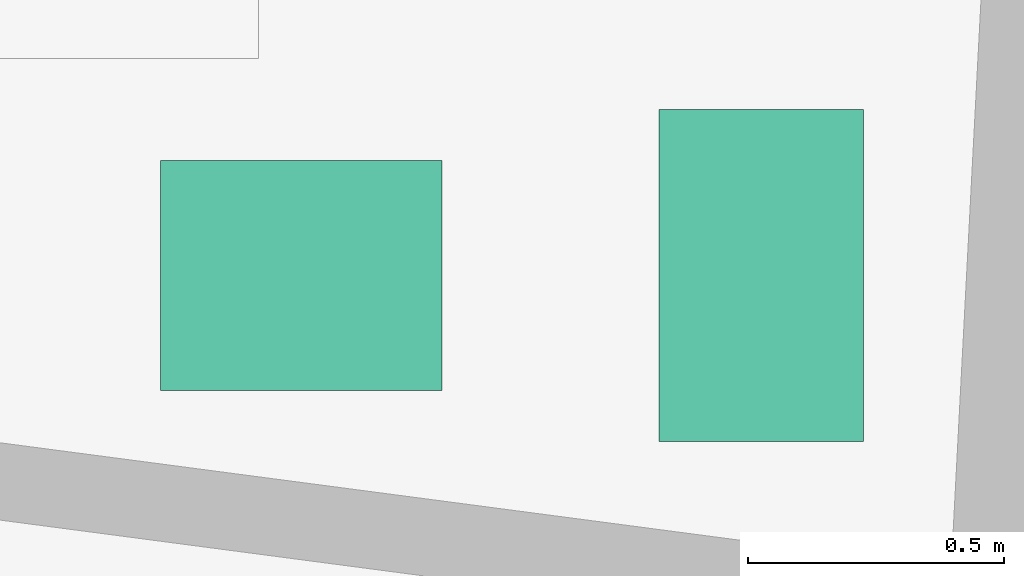
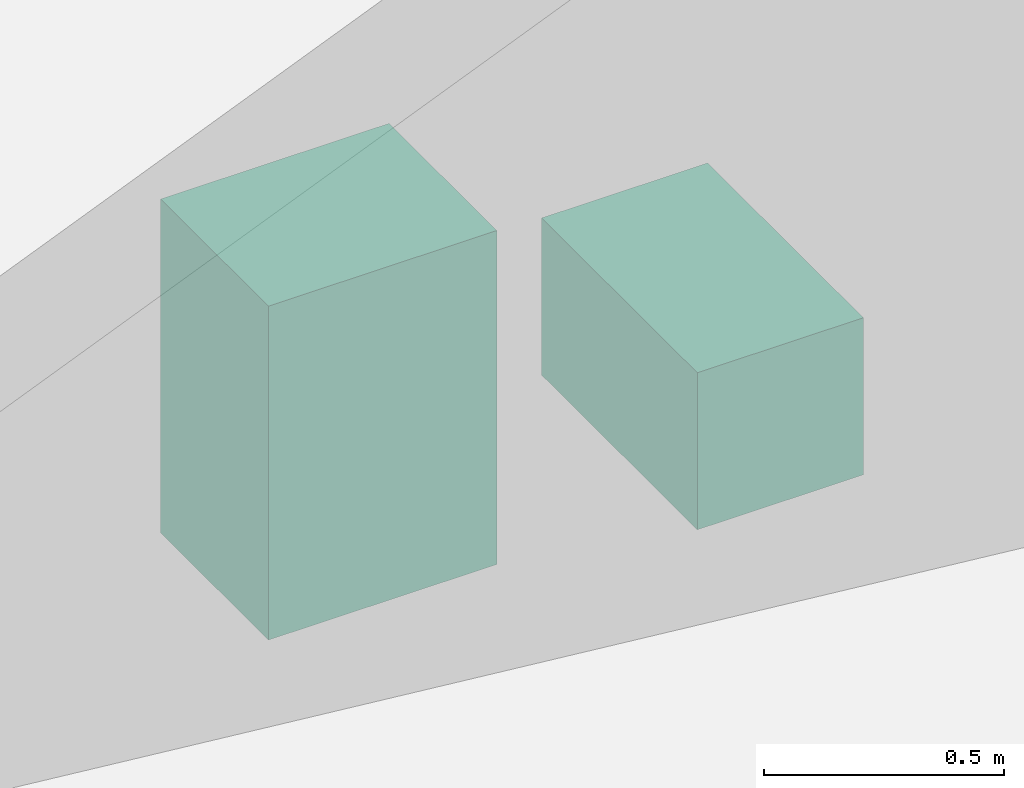
# One storey, part 13 of 14: 2 sanitary terminals.
"""IFC4 building model written with IfcOpenShell, lengths in metres."""

from ifc_helpers import new_model, si_unit, direction, frame, origin, origin_2d, place, context, subcontext, project, spatial, rectangle, extrude, material, type_object, element, save


model = new_model("IFC4")

# Units and contexts
model_context = context("Model", 3, precision=1e-05, world=origin(), true_north=direction((0.0, 1.0)))
body_context = subcontext(model_context, "Body", "Model", "MODEL_VIEW")
ifc_project = project(units=[si_unit("LENGTHUNIT", "METRE"), si_unit("AREAUNIT", "SQUARE_METRE"), si_unit("VOLUMEUNIT", "CUBIC_METRE"), si_unit("PLANEANGLEUNIT", "RADIAN"), si_unit("MASSUNIT", "GRAM", prefix="KILO")], contexts=[model_context])

# Site, building, storey
site_placement = place(None, origin())
site = spatial("IfcSite", under=ifc_project, at=site_placement, CompositionType="ELEMENT")
building_placement = place(site_placement, origin())
building = spatial("IfcBuilding", under=site, at=building_placement, Name="Nagisa Residences", CompositionType="ELEMENT")
storey_placement = place(building_placement, frame((0.0, 0.0, -10.0)))
storey = spatial("IfcBuildingStorey", under=building, at=storey_placement, Name="B2", CompositionType="ELEMENT", Elevation=-10.0)

# Sanitary terminals
ifc_material_1 = material(Name="Vitreous china")
sanitary_terminal_type_1 = type_object("IfcSanitaryTerminalType", Name="WC pan", PredefinedType="WCSEAT", material=ifc_material_1)
sanitary_terminal_1_placement = place(storey_placement, frame((-1.489990234375, -18.85693359375, 0.0), z_axis=(0.0, 0.0, 1.0), x_axis=(1.0, 0.0, 0.0)))
element("IfcSanitaryTerminal", 1, at=sanitary_terminal_1_placement, inside=storey, type_object=sanitary_terminal_type_1, Name="fix:B2:r6:wc", PredefinedType="WCSEAT", context=body_context, shape_type="SweptSolid", body=[
    extrude(rectangle(XDim=0.39990234375, YDim=0.64990234375, at=origin_2d()), origin(), (0.0, 0.0, 1.0), 0.39990234375),
])
ifc_material_2 = material(Name="Vitreous china")
sanitary_terminal_type_2 = type_object("IfcSanitaryTerminalType", Name="Wash basin", PredefinedType="WASHHANDBASIN", material=ifc_material_2)
sanitary_terminal_2_placement = place(storey_placement, frame((-2.389892578125, -18.85693359375, 0.0), z_axis=(0.0, 0.0, 1.0), x_axis=(1.0, 0.0, 0.0)))
element("IfcSanitaryTerminal", 2, at=sanitary_terminal_2_placement, inside=storey, type_object=sanitary_terminal_type_2, Name="fix:B2:r6:basin", PredefinedType="WASHHANDBASIN", context=body_context, shape_type="SweptSolid", body=[
    extrude(rectangle(XDim=0.550048828125, YDim=0.449951171875, at=origin_2d()), origin(), (0.0, 0.0, 1.0), 0.85009765625),
])

save(model, "model.ifc")
